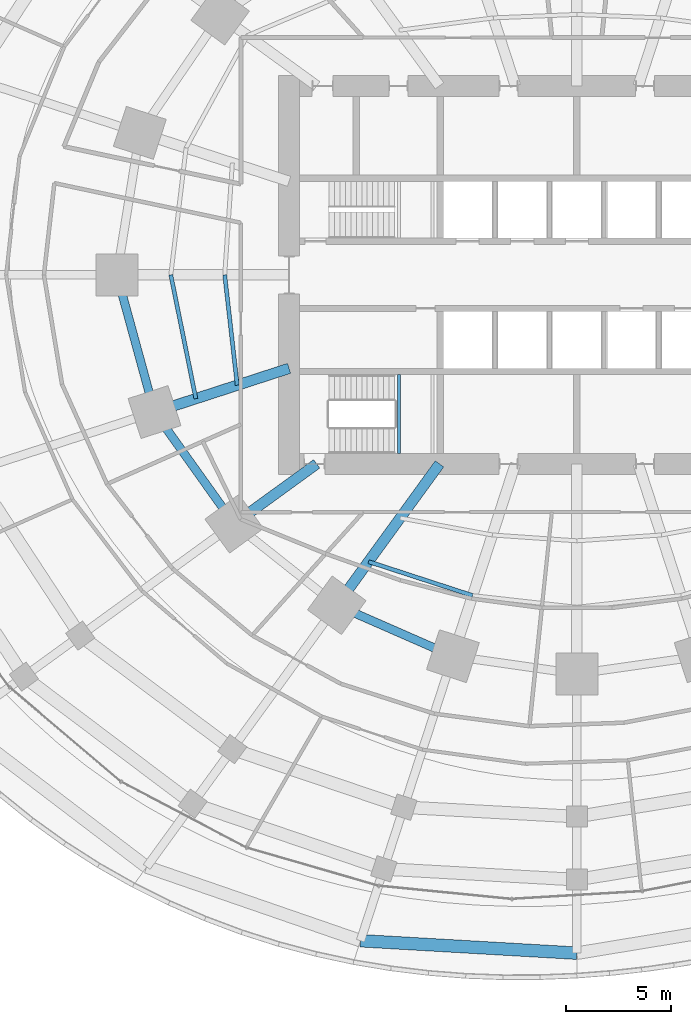
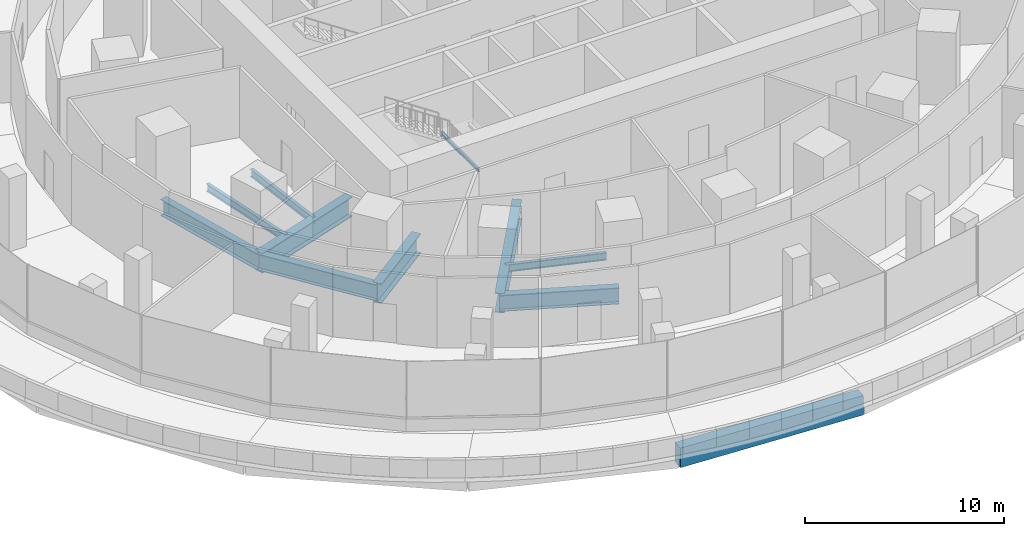
# One storey, part 4 of 27: 11 beams.
"""IFC4 building model written with IfcOpenShell, lengths in metres."""

from ifc_helpers import new_model, si_unit, direction, frame, origin, origin_2d, place, context, subcontext, project, spatial, rectangle, i_section, extrude, material, material_profile, profile_set, type_object, element, save


model = new_model("IFC4")

# Units and contexts
model_context = context("Model", 3, precision=1e-05, world=origin(), true_north=direction((0.0, 1.0)))
body_context = subcontext(model_context, "Body", "Model", "MODEL_VIEW")
ifc_project = project(units=[si_unit("LENGTHUNIT", "METRE"), si_unit("AREAUNIT", "SQUARE_METRE"), si_unit("VOLUMEUNIT", "CUBIC_METRE"), si_unit("PLANEANGLEUNIT", "RADIAN"), si_unit("MASSUNIT", "GRAM", prefix="KILO")], contexts=[model_context])

# Site, building, storey
site_placement = place(None, origin())
site = spatial("IfcSite", under=ifc_project, at=site_placement, CompositionType="ELEMENT")
building_placement = place(site_placement, origin())
building = spatial("IfcBuilding", under=site, at=building_placement, Name="Marramba Exchange Tower", CompositionType="ELEMENT")
storey_placement = place(building_placement, frame((0.0, 0.0, 10.60009765625)))
storey = spatial("IfcBuildingStorey", under=building, at=storey_placement, Name="L02", CompositionType="ELEMENT", Elevation=10.60009765625)

# Beams
ifc_material_1 = material(Name="Concrete N50", Category="concrete")
ifc_material_profile_1 = material_profile(ifc_material_1, rectangle(XDim=0.60009765625, YDim=1.199951171875, at=origin_2d()), Name="RC 600x1200")
ifc_profile_set_1 = profile_set([ifc_material_profile_1], Name="Concrete N50")
beam_type_1 = type_object("IfcBeamType", Name="Edge beam RC 600x1200 N50", PredefinedType="SPANDREL", material=ifc_profile_set_1)
beam_1_placement = place(storey_placement, frame((-10.302001953125, -31.706298828125, -0.85009765625), z_axis=(0.99834326258, -0.057538943873, 0.0), x_axis=(0.057538943873, 0.99834326258, 0.0)))
element("IfcBeam", 1, at=beam_1_placement, inside=storey, type_object=beam_type_1, Name="Edge beam L02 P1C15", PredefinedType="SPANDREL", context=body_context, shape_type="SweptSolid", body=[
    extrude(rectangle(XDim=0.60009765625, YDim=1.199951171875, at=origin_2d()), origin(), (0.0, 0.0, 1.0), 10.319091796875),
])
ifc_material_2 = material(Name="Steel AS/NZS 3679.1 grade 300", Category="steel")
ifc_material_profile_2 = material_profile(ifc_material_2, i_section(OverallWidth=0.18994140625, OverallDepth=0.4541015625, WebThickness=0.008544921875, FlangeThickness=0.0126953125, FilletRadius=0.011474609375, at=origin_2d()), Name="460UB67.1")
ifc_profile_set_2 = profile_set([ifc_material_profile_2], Name="Steel AS/NZS 3679.1 grade 300")
beam_type_2 = type_object("IfcBeamType", Name="Floor joist 460UB67.1", PredefinedType="JOIST", material=ifc_profile_set_2)
beam_2_placement = place(storey_placement, frame((-16.7666015625, 0.0, -0.427001953125), z_axis=(0.112888968594, -0.993607609054, 0.0), x_axis=(0.993607609054, 0.112888968594, 0.0)))
element("IfcBeam", 2, at=beam_2_placement, inside=storey, type_object=beam_type_2, Name="Joist L02 bay 11 row 1", PredefinedType="JOIST", context=body_context, shape_type="SweptSolid", body=[
    extrude(i_section(OverallWidth=0.18994140625, OverallDepth=0.4541015625, WebThickness=0.008544921875, FlangeThickness=0.0126953125, FilletRadius=0.011474609375, at=origin_2d()), origin(), (0.0, 0.0, 1.0), 5.28759765625),
])
beam_3_placement = place(storey_placement, frame((-19.333251953125, 0.0, -0.427001953125), z_axis=(0.198489047047, -0.980103105904, 0.0), x_axis=(0.980103105904, 0.198489047047, 0.0)))
element("IfcBeam", 3, at=beam_3_placement, inside=storey, type_object=beam_type_2, Name="Joist L02 bay 11 row 2", PredefinedType="JOIST", context=body_context, shape_type="SweptSolid", body=[
    extrude(i_section(OverallWidth=0.18994140625, OverallDepth=0.4541015625, WebThickness=0.008544921875, FlangeThickness=0.0126953125, FilletRadius=0.011474609375, at=origin_2d()), origin(), (0.0, 0.0, 1.0), 6.013427734375),
])
beam_4_placement = place(storey_placement, frame((-9.9208984375, -13.655029296875, -0.427001953125), z_axis=(0.950764024931, -0.309915744834, 0.0), x_axis=(0.309915744834, 0.950764024931, 0.0)))
element("IfcBeam", 4, at=beam_4_placement, inside=storey, type_object=beam_type_2, Name="Joist L02 bay 14 row 2", PredefinedType="JOIST", context=body_context, shape_type="SweptSolid", body=[
    extrude(i_section(OverallWidth=0.18994140625, OverallDepth=0.4541015625, WebThickness=0.008544921875, FlangeThickness=0.0126953125, FilletRadius=0.011474609375, at=origin_2d()), origin(), (0.0, 0.0, 1.0), 5.2158203125),
])
ifc_material_3 = material(Name="Steel AS/NZS 3679.2 grade 300", Category="steel")
ifc_material_profile_3 = material_profile(ifc_material_3, i_section(OverallWidth=0.5, OverallDepth=1.199951171875, WebThickness=0.01611328125, FlangeThickness=0.0400390625, at=origin_2d()), Name="1200WB455")
ifc_profile_set_3 = profile_set([ifc_material_profile_3], Name="Steel AS/NZS 3679.2 grade 300")
beam_type_3 = type_object("IfcBeamType", Name="Radial girder 1200WB455", PredefinedType="BEAM", material=ifc_profile_set_3)
beam_5_placement = place(storey_placement, frame((-13.699951171875, -4.451416015625, -0.800048828125), z_axis=(-0.951057759669, -0.309013167637, 0.0), x_axis=(0.309013167637, -0.951057759669, 0.0)))
element("IfcBeam", 5, at=beam_5_placement, inside=storey, type_object=beam_type_3, Name="Radial girder L02 TC12", PredefinedType="BEAM", context=body_context, shape_type="SweptSolid", body=[
    extrude(i_section(OverallWidth=0.5, OverallDepth=1.199951171875, WebThickness=0.01611328125, FlangeThickness=0.0400390625, at=origin_2d()), origin(), (0.0, 0.0, 1.0), 6.7392578125),
])
beam_6_placement = place(storey_placement, frame((-12.387451171875, -9.0, -0.800048828125), z_axis=(-0.809025189606, -0.58777397236, 0.0), x_axis=(0.58777397236, -0.809025189606, 0.0)))
element("IfcBeam", 6, at=beam_6_placement, inside=storey, type_object=beam_type_3, Name="Radial girder L02 TC13", PredefinedType="BEAM", context=body_context, shape_type="SweptSolid", body=[
    extrude(i_section(OverallWidth=0.5, OverallDepth=1.199951171875, WebThickness=0.01611328125, FlangeThickness=0.0400390625, at=origin_2d()), origin(), (0.0, 0.0, 1.0), 4.855224609375),
])
beam_7_placement = place(storey_placement, frame((-6.538818359375, -9.0, -0.800048828125), z_axis=(-0.587787877172, -0.809015087282, 0.0), x_axis=(0.809015087282, -0.587787877172, 0.0)))
element("IfcBeam", 7, at=beam_7_placement, inside=storey, type_object=beam_type_3, Name="Radial girder L02 TC14", PredefinedType="BEAM", context=body_context, shape_type="SweptSolid", body=[
    extrude(i_section(OverallWidth=0.5, OverallDepth=1.199951171875, WebThickness=0.01611328125, FlangeThickness=0.0400390625, at=origin_2d()), origin(), (0.0, 0.0, 1.0), 8.322021484375),
])
ifc_material_profile_4 = material_profile(ifc_material_3, i_section(OverallWidth=0.39990234375, OverallDepth=1.0, WebThickness=0.01611328125, FlangeThickness=0.031982421875, at=origin_2d()), Name="1000WB322")
ifc_profile_set_4 = profile_set([ifc_material_profile_4], Name="Steel AS/NZS 3679.2 grade 300")
beam_type_4 = type_object("IfcBeamType", Name="Ring beam 1000WB322", PredefinedType="SPANDREL", material=ifc_profile_set_4)
beam_8_placement = place(storey_placement, frame((-21.89990234375, 0.0, -0.7001953125), z_axis=(0.264291166956, -0.964442937176, 0.0), x_axis=(0.964442937176, 0.264291166956, 0.0)))
element("IfcBeam", 8, at=beam_8_placement, inside=storey, type_object=beam_type_4, Name="Ring beam L02 TC11-TC12", PredefinedType="SPANDREL", context=body_context, shape_type="SweptSolid", body=[
    extrude(i_section(OverallWidth=0.39990234375, OverallDepth=1.0, WebThickness=0.01611328125, FlangeThickness=0.031982421875, at=origin_2d()), origin(), (0.0, 0.0, 1.0), 6.77490234375),
])
beam_9_placement = place(storey_placement, frame((-20.109375, -6.533935546875, -0.7001953125), z_axis=(0.580637181111, -0.814162430914, 0.0), x_axis=(0.814162430914, 0.580637181111, 0.0)))
element("IfcBeam", 9, at=beam_9_placement, inside=storey, type_object=beam_type_4, Name="Ring beam L02 TC12-TC13", PredefinedType="SPANDREL", context=body_context, shape_type="SweptSolid", body=[
    extrude(i_section(OverallWidth=0.39990234375, OverallDepth=1.0, WebThickness=0.01611328125, FlangeThickness=0.031982421875, at=origin_2d()), origin(), (0.0, 0.0, 1.0), 6.5341796875),
])
beam_10_placement = place(storey_placement, frame((-11.430419921875, -15.732666015625, -0.7001953125), z_axis=(0.915876892158, -0.4014592363, 0.0), x_axis=(0.4014592363, 0.915876892158, 0.0)))
element("IfcBeam", 10, at=beam_10_placement, inside=storey, type_object=beam_type_4, Name="Ring beam L02 TC14-TC15", PredefinedType="SPANDREL", context=body_context, shape_type="SweptSolid", body=[
    extrude(i_section(OverallWidth=0.39990234375, OverallDepth=1.0, WebThickness=0.01611328125, FlangeThickness=0.031982421875, at=origin_2d()), origin(), (0.0, 0.0, 1.0), 6.038818359375),
])
ifc_material_profile_5 = material_profile(ifc_material_2, i_section(OverallWidth=0.133056640625, OverallDepth=0.202880859375, WebThickness=0.005859375, FlangeThickness=0.0078125, FilletRadius=0.0087890625, at=origin_2d()), Name="200UB25.4")
ifc_profile_set_5 = profile_set([ifc_material_profile_5], Name="Steel AS/NZS 3679.1 grade 300")
beam_type_5 = type_object("IfcBeamType", Name="Stair landing beam 200UB25.4", PredefinedType="BEAM", material=ifc_profile_set_5)
beam_11_placement = place(storey_placement, frame((-8.46337890625, -8.5, 1.948486328125), z_axis=(0.0, 1.0, 0.0), x_axis=(-1.0, 0.0, 0.0)))
element("IfcBeam", 11, at=beam_11_placement, inside=storey, type_object=beam_type_5, Name="Stair landing beam SLB1 ST3 L02 1", PredefinedType="BEAM", context=body_context, shape_type="SweptSolid", body=[
    extrude(i_section(OverallWidth=0.133056640625, OverallDepth=0.202880859375, WebThickness=0.005859375, FlangeThickness=0.0078125, FilletRadius=0.0087890625, at=origin_2d()), origin(), (0.0, 0.0, 1.0), 3.75),
])

save(model, "model.ifc")
